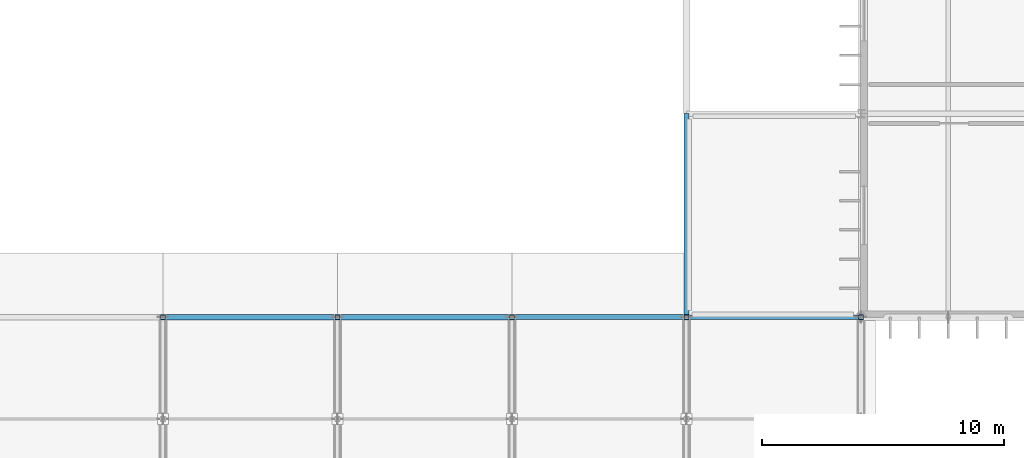
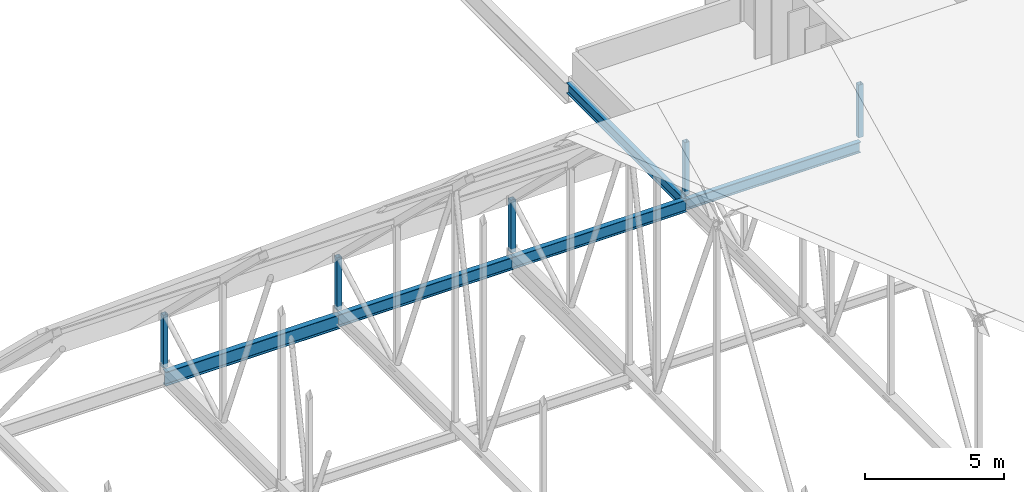
# One storey, part 30 of 99: 5 beams, 5 members.
"""IFC4 building model written with IfcOpenShell, lengths in metres."""

from ifc_helpers import new_model, si_unit, direction, frame, origin, origin_2d, place, context, subcontext, project, spatial, hollow_rectangle, i_section, extrude, material, material_profile, profile_set, type_object, element, save


model = new_model("IFC4")

# Units and contexts
model_context = context("Model", 3, precision=1e-05, world=origin(), true_north=direction((0.0, 1.0)))
body_context = subcontext(model_context, "Body", "Model", "MODEL_VIEW")
ifc_project = project(units=[si_unit("LENGTHUNIT", "METRE"), si_unit("AREAUNIT", "SQUARE_METRE"), si_unit("VOLUMEUNIT", "CUBIC_METRE"), si_unit("PLANEANGLEUNIT", "RADIAN"), si_unit("MASSUNIT", "GRAM", prefix="KILO")], contexts=[model_context])

# Site, building, storey
site_placement = place(None, origin())
site = spatial("IfcSite", under=ifc_project, at=site_placement, CompositionType="ELEMENT")
building_placement = place(site_placement, origin())
building = spatial("IfcBuilding", under=site, at=building_placement, Name="Qelthora Terrace Specialist Clinic", CompositionType="ELEMENT")
storey_placement = place(building_placement, frame((0.0, 0.0, 9.0)))
storey = spatial("IfcBuildingStorey", under=building, at=storey_placement, Name="L02", CompositionType="ELEMENT", Elevation=9.0)

# Beams
ifc_material = material(Name="Steel S355", Category="steel")
ifc_material_profile_1 = material_profile(ifc_material, i_section(OverallWidth=0.193115234375, OverallDepth=0.466064453125, WebThickness=0.011474609375, FlangeThickness=0.01904296875, FilletRadius=0.012939453125, at=origin_2d()), Name="W460X97")
ifc_profile_set_1 = profile_set([ifc_material_profile_1], Name="Steel S355")
beam_type_1 = type_object("IfcBeamType", Name="BM-W460X97", PredefinedType="BEAM", material=ifc_profile_set_1)
beam_1_placement = place(storey_placement, frame((86.39990234375, 33.60009765625, -0.48291015625), z_axis=(1.0, 0.0, 0.0), x_axis=(0.0, 1.0, 0.0)))
element("IfcBeam", 1, at=beam_1_placement, inside=storey, type_object=beam_type_1, Name="Girder BMX-L02-0609", PredefinedType="BEAM", context=body_context, shape_type="SweptSolid", body=[
    extrude(i_section(OverallWidth=0.193115234375, OverallDepth=0.466064453125, WebThickness=0.011474609375, FlangeThickness=0.01904296875, FilletRadius=0.012939453125, at=origin_2d()), origin(), (0.0, 0.0, 1.0), 7.2001953125),
])
beam_2_placement = place(storey_placement, frame((86.39990234375, 33.60009765625, -0.48291015625), z_axis=(0.0, 1.0, 0.0), x_axis=(-1.0, 0.0, 0.0)))
element("IfcBeam", 2, at=beam_2_placement, inside=storey, type_object=beam_type_1, Name="Girder BMY-L02-0827", PredefinedType="BEAM", context=body_context, shape_type="SweptSolid", body=[
    extrude(i_section(OverallWidth=0.193115234375, OverallDepth=0.466064453125, WebThickness=0.011474609375, FlangeThickness=0.01904296875, FilletRadius=0.012939453125, at=origin_2d()), origin(), (0.0, 0.0, 1.0), 8.39990234375),
])
ifc_material_profile_2 = material_profile(ifc_material, i_section(OverallWidth=0.2099609375, OverallDepth=0.537109375, WebThickness=0.010986328125, FlangeThickness=0.017333984375, FilletRadius=0.013916015625, at=origin_2d()), Name="W530X101")
ifc_profile_set_2 = profile_set([ifc_material_profile_2], Name="Steel S355")
beam_type_2 = type_object("IfcBeamType", Name="BM-W530X101", PredefinedType="BEAM", material=ifc_profile_set_2)
beam_3_placement = place(storey_placement, frame((79.199951171875, 33.60009765625, -0.5185546875), z_axis=(1.0, 0.0, 0.0), x_axis=(0.0, 1.0, 0.0)))
element("IfcBeam", 3, at=beam_3_placement, inside=storey, type_object=beam_type_2, Name="Girder BMX-L02-0608", PredefinedType="BEAM", context=body_context, shape_type="SweptSolid", body=[
    extrude(i_section(OverallWidth=0.2099609375, OverallDepth=0.537109375, WebThickness=0.010986328125, FlangeThickness=0.017333984375, FilletRadius=0.013916015625, at=origin_2d()), origin(), (0.0, 0.0, 1.0), 7.199951171875),
])
ifc_material_profile_3 = material_profile(ifc_material, i_section(OverallWidth=0.2119140625, OverallDepth=0.5439453125, WebThickness=0.01318359375, FlangeThickness=0.021240234375, FilletRadius=0.013916015625, at=origin_2d()), Name="W530X123")
ifc_profile_set_3 = profile_set([ifc_material_profile_3], Name="Steel S355")
beam_type_3 = type_object("IfcBeamType", Name="BM-W530X123", PredefinedType="BEAM", material=ifc_profile_set_3)
beam_4_placement = place(storey_placement, frame((72.0, 33.60009765625, -0.52197265625), z_axis=(1.0, 0.0, 0.0), x_axis=(0.0, 1.0, 0.0)))
element("IfcBeam", 4, at=beam_4_placement, inside=storey, type_object=beam_type_3, Name="Girder BMX-L02-0607", PredefinedType="BEAM", context=body_context, shape_type="SweptSolid", body=[
    extrude(i_section(OverallWidth=0.2119140625, OverallDepth=0.5439453125, WebThickness=0.01318359375, FlangeThickness=0.021240234375, FilletRadius=0.013916015625, at=origin_2d()), origin(), (0.0, 0.0, 1.0), 7.199951171875),
])
ifc_material_profile_4 = material_profile(ifc_material, i_section(OverallWidth=0.22900390625, OverallDepth=0.612060546875, WebThickness=0.011962890625, FlangeThickness=0.01953125, FilletRadius=0.01611328125, at=origin_2d()), Name="W610X125")
ifc_profile_set_4 = profile_set([ifc_material_profile_4], Name="Steel S355")
beam_type_4 = type_object("IfcBeamType", Name="BM-W610X125", PredefinedType="BEAM", material=ifc_profile_set_4)
beam_5_placement = place(storey_placement, frame((64.800048828125, 33.60009765625, -0.555908203125), z_axis=(1.0, 0.0, 0.0), x_axis=(0.0, 1.0, 0.0)))
element("IfcBeam", 5, at=beam_5_placement, inside=storey, type_object=beam_type_4, Name="Girder BMX-L02-0606", PredefinedType="BEAM", context=body_context, shape_type="SweptSolid", body=[
    extrude(i_section(OverallWidth=0.22900390625, OverallDepth=0.612060546875, WebThickness=0.011962890625, FlangeThickness=0.01953125, FilletRadius=0.01611328125, at=origin_2d()), origin(), (0.0, 0.0, 1.0), 7.199951171875),
])

# Members
ifc_material_profile_5 = material_profile(ifc_material, hollow_rectangle(XDim=0.199951171875, YDim=0.199951171875, WallThickness=0.010009765625, at=origin_2d()), Name="HSS200X200X10")
ifc_profile_set_5 = profile_set([ifc_material_profile_5], Name="Steel S355")
member_type = type_object("IfcMemberType", Name="MEM-BRACE-HSS200", PredefinedType="BRACE", material=ifc_profile_set_5)
for number, where, z_axis, x_axis, name in (
    (6, (64.800048828125, 33.60009765625, -0.050048828125), (0.0, 0.0, 1.0), (1.0, 0.0, 0.0), "Hall roof truss TR-2 vertical web 8"),
    (7, (72.0, 33.60009765625, -0.050048828125), (0.0, 0.0, 1.0), (1.0, 0.0, 0.0), "Hall roof truss TR-3 vertical web 8"),
    (8, (79.199951171875, 33.60009765625, -0.050048828125), (0.0, 0.0, 1.0), (1.0, 0.0, 0.0), "Hall roof truss TR-4 vertical web 8"),
    (9, (86.39990234375, 33.60009765625, -0.050048828125), (0.0, 0.0, 1.0), (1.0, 0.0, 0.0), "Hall roof truss TR-5 vertical web 8"),
    (10, (93.60009765625, 33.60009765625, -0.050048828125), (0.0, 0.0, 1.0), (1.0, 0.0, 0.0), "Hall roof truss TR-6 vertical web 5"),
):
    element("IfcMember", number, at=place(storey_placement, frame(where, z_axis=z_axis, x_axis=x_axis)), inside=storey, type_object=member_type, Name=name, PredefinedType="BRACE", context=body_context, shape_type="SweptSolid", body=[
        extrude(hollow_rectangle(XDim=0.199951171875, YDim=0.199951171875, WallThickness=0.010009765625, at=origin_2d()), origin(), (0.0, 0.0, 1.0), 2.31103515625),
    ])

save(model, "model.ifc")
